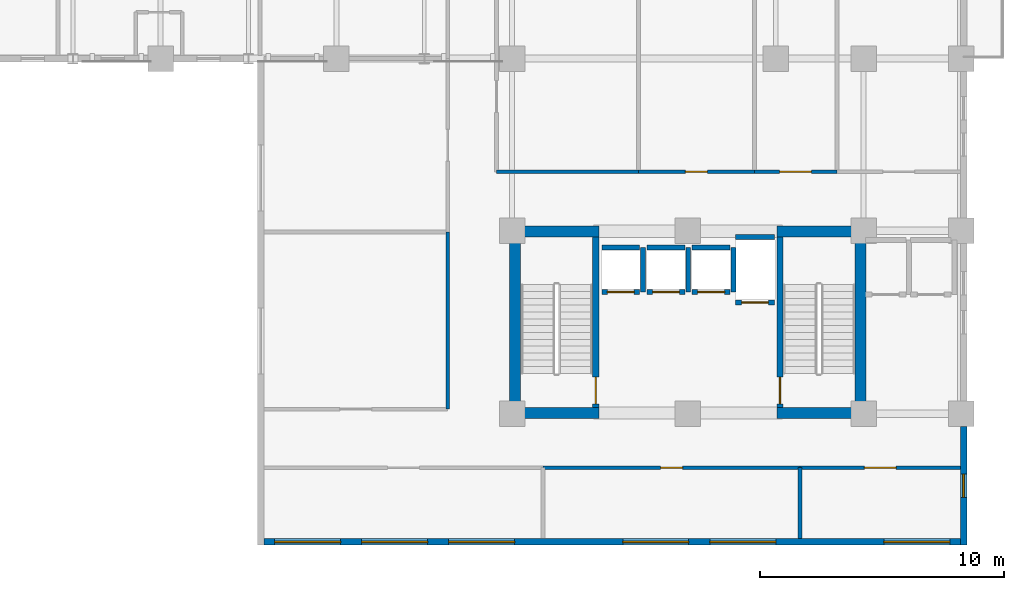
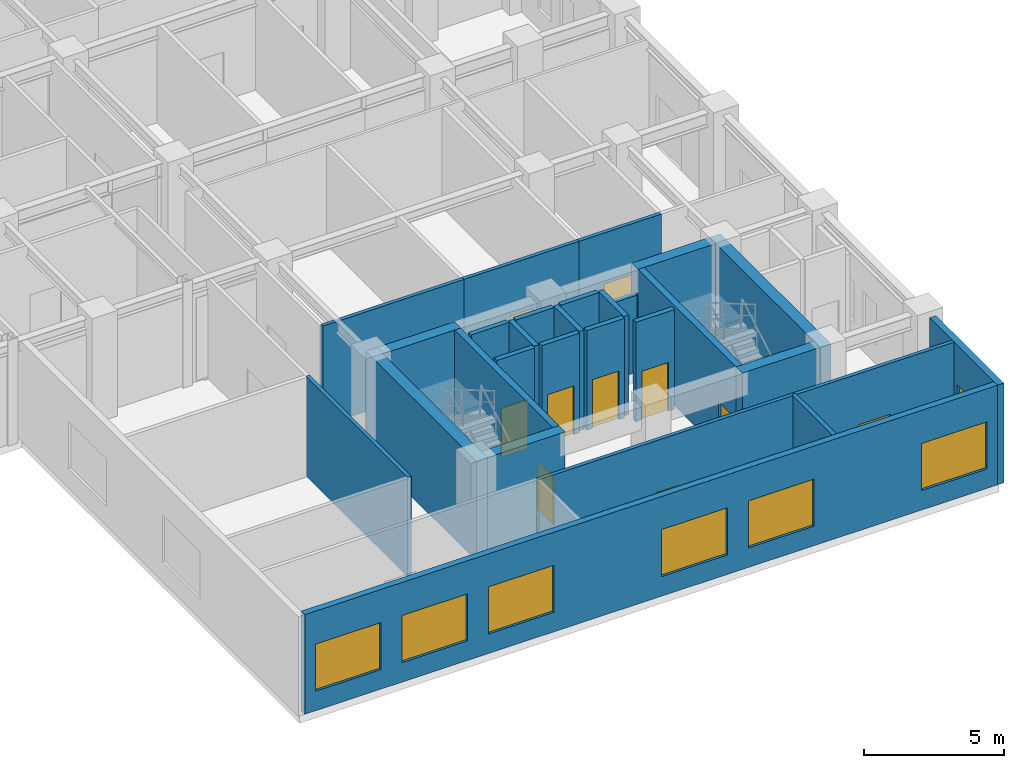
# One storey, part 6 of 14: 28 walls, 10 doors, 7 windows, 17 openings.
"""IFC4 building model written with IfcOpenShell, lengths in metres."""

from ifc_helpers import new_model, si_unit, direction, frame, frame_2d, origin, place, context, subcontext, project, spatial, rectangle, extrude, material, layer, layer_set, type_object, element, fill, save


model = new_model("IFC4")

# Units and contexts
model_context = context("Model", 3, precision=1e-05, world=origin(), true_north=direction((0.0, 1.0)))
body_context = subcontext(model_context, "Body", "Model", "MODEL_VIEW")
ifc_project = project(units=[si_unit("LENGTHUNIT", "METRE"), si_unit("AREAUNIT", "SQUARE_METRE"), si_unit("VOLUMEUNIT", "CUBIC_METRE"), si_unit("PLANEANGLEUNIT", "RADIAN"), si_unit("MASSUNIT", "GRAM", prefix="KILO")], contexts=[model_context])

# Site, building, storey
site_placement = place(None, origin())
site = spatial("IfcSite", under=ifc_project, at=site_placement, CompositionType="ELEMENT")
building_placement = place(site_placement, origin())
building = spatial("IfcBuilding", under=site, at=building_placement, Name="Kaliganga Portal Commons", CompositionType="ELEMENT")
storey_placement = place(building_placement, frame((0.0, 0.0, 135.60009765625)))
storey = spatial("IfcBuildingStorey", under=building, at=storey_placement, Name="L34", CompositionType="ELEMENT", Elevation=135.60009765625)

# Walls
ifc_material_1 = material(Name="Concrete C60/75", Category="concrete")
ifc_layer_1 = layer(ifc_material_1, 0.449951171875)
ifc_layer_set_1 = layer_set([ifc_layer_1], Name="Concrete C60/75")
wall_type_1 = type_object("IfcWallType", Name="WL-CORE-450", PredefinedType="SHEAR", material=ifc_layer_set_1)
for number, where, z_axis, x_axis, name in (
    (1, (36.125, 6.85009765625, 0.0), (0.0, 0.0, 1.0), (0.0, 1.0, 0.0), "Core B West Shear Wall L34"),
    (2, (50.27490234375, 6.85009765625, 0.0), (0.0, 0.0, 1.0), (0.0, 1.0, 0.0), "Core B East Shear Wall L34"),
):
    element("IfcWall", number, at=place(storey_placement, frame(where, z_axis=z_axis, x_axis=x_axis)), inside=storey, type_object=wall_type_1, Name=name, PredefinedType="SHEAR", context=body_context, shape_type="SweptSolid", body=[
        extrude(rectangle(XDim=7.89990234375, YDim=0.449951171875, at=frame_2d((3.949951171875, 0.0))), origin(), (0.0, 0.0, 1.0), 4.35986328125),
    ])
for number, where, z_axis, x_axis, name in (
    (3, (36.35009765625, 7.074951171875, 0.0), (0.0, 0.0, 1.0), (1.0, 0.0, 0.0), "Core B S-West Shear Wall L34"),
    (4, (46.85009765625, 7.074951171875, 0.0), (0.0, 0.0, 1.0), (1.0, 0.0, 0.0), "Core B S-East Shear Wall L34"),
    (5, (36.35009765625, 14.52490234375, 0.0), (0.0, 0.0, 1.0), (1.0, 0.0, 0.0), "Core B N-West Shear Wall L34"),
    (6, (46.85009765625, 14.52490234375, 0.0), (0.0, 0.0, 1.0), (1.0, 0.0, 0.0), "Core B N-East Shear Wall L34"),
):
    element("IfcWall", number, at=place(storey_placement, frame(where, z_axis=z_axis, x_axis=x_axis)), inside=storey, type_object=wall_type_1, Name=name, PredefinedType="SHEAR", context=body_context, shape_type="SweptSolid", body=[
        extrude(rectangle(XDim=3.199951171875, YDim=0.449951171875, at=frame_2d((1.60009765625, 0.0))), origin(), (0.0, 0.0, 1.0), 4.35986328125),
    ])

# Wall, openings, windows
ifc_material_2 = material(Name="Insulated Aluminium-Clad Spandrel Assembly", Category="aluminium")
ifc_layer_2 = layer(ifc_material_2, 0.260009765625)
ifc_layer_set_2 = layer_set([ifc_layer_2], Name="Insulated Aluminium-Clad Spandrel Assembly")
wall_type_2 = type_object("IfcWallType", Name="WL-EXT-SPAND-260", PredefinedType="STANDARD", material=ifc_layer_set_2)
wall_1_placement = place(storey_placement, frame((54.364990234375, 1.800048828125, 0.0), z_axis=(0.0, 0.0, 1.0), x_axis=(-1.0, 0.0, 0.0)))
wall_1 = element("IfcWall", 7, at=wall_1_placement, inside=storey, type_object=wall_type_2, Name="Exterior Envelope Wall L34 P1-E00-S1", PredefinedType="STANDARD", context=body_context, shape_type="SweptSolid", body=[
    extrude(rectangle(XDim=28.530029296875, YDim=0.260009765625, at=frame_2d((14.26513671875, 0.0))), origin(), (0.0, 0.0, 1.0), 4.33984375),
])
opening_1_placement = place(wall_1_placement, frame((0.43310546875, 0.0, 0.85009765625)))
opening_1 = element("IfcOpeningElement", 8, at=opening_1_placement, cuts=wall_1, Name="Opening W-07", PredefinedType="OPENING", context=body_context, shape_type="SweptSolid", body=[
    extrude(rectangle(XDim=2.699951171875, YDim=2.050048828125, at=frame_2d((1.35009765625, 1.02490234375))), frame((0.0, 0.14013671875, 0.0), z_axis=(0.0, -1.0, 0.0), x_axis=(1.0, 0.0, 0.0)), (0.0, 0.0, 1.0), 0.280029296875),
])
opening_2_placement = place(wall_1_placement, frame((7.565673828125, 0.0, 0.85009765625)))
opening_2 = element("IfcOpeningElement", 9, at=opening_2_placement, cuts=wall_1, Name="Opening W-07", PredefinedType="OPENING", context=body_context, shape_type="SweptSolid", body=[
    extrude(rectangle(XDim=2.699951171875, YDim=2.050048828125, at=frame_2d((1.35009765625, 1.02490234375))), frame((0.0, 0.14013671875, 0.0), z_axis=(0.0, -1.0, 0.0), x_axis=(1.0, 0.0, 0.0)), (0.0, 0.0, 1.0), 0.280029296875),
])
opening_3_placement = place(wall_1_placement, frame((11.1318359375, 0.0, 0.85009765625)))
opening_3 = element("IfcOpeningElement", 10, at=opening_3_placement, cuts=wall_1, Name="Opening W-07", PredefinedType="OPENING", context=body_context, shape_type="SweptSolid", body=[
    extrude(rectangle(XDim=2.699951171875, YDim=2.050048828125, at=frame_2d((1.35009765625, 1.02490234375))), frame((0.0, 0.14013671875, 0.0), z_axis=(0.0, -1.0, 0.0), x_axis=(1.0, 0.0, 0.0)), (0.0, 0.0, 1.0), 0.280029296875),
])
opening_4_placement = place(wall_1_placement, frame((18.264404296875, 0.0, 0.85009765625)))
opening_4 = element("IfcOpeningElement", 11, at=opening_4_placement, cuts=wall_1, Name="Opening W-07", PredefinedType="OPENING", context=body_context, shape_type="SweptSolid", body=[
    extrude(rectangle(XDim=2.699951171875, YDim=2.050048828125, at=frame_2d((1.35009765625, 1.02490234375))), frame((0.0, 0.14013671875, 0.0), z_axis=(0.0, -1.0, 0.0), x_axis=(1.0, 0.0, 0.0)), (0.0, 0.0, 1.0), 0.280029296875),
])
opening_5_placement = place(wall_1_placement, frame((21.83056640625, 0.0, 0.85009765625)))
opening_5 = element("IfcOpeningElement", 12, at=opening_5_placement, cuts=wall_1, Name="Opening W-07", PredefinedType="OPENING", context=body_context, shape_type="SweptSolid", body=[
    extrude(rectangle(XDim=2.699951171875, YDim=2.050048828125, at=frame_2d((1.35009765625, 1.02490234375))), frame((0.0, 0.14013671875, 0.0), z_axis=(0.0, -1.0, 0.0), x_axis=(1.0, 0.0, 0.0)), (0.0, 0.0, 1.0), 0.280029296875),
])
opening_6_placement = place(wall_1_placement, frame((25.39697265625, 0.0, 0.85009765625)))
opening_6 = element("IfcOpeningElement", 13, at=opening_6_placement, cuts=wall_1, Name="Opening W-07", PredefinedType="OPENING", context=body_context, shape_type="SweptSolid", body=[
    extrude(rectangle(XDim=2.699951171875, YDim=2.050048828125, at=frame_2d((1.35009765625, 1.02490234375))), frame((0.0, 0.14013671875, 0.0), z_axis=(0.0, -1.0, 0.0), x_axis=(1.0, 0.0, 0.0)), (0.0, 0.0, 1.0), 0.280029296875),
])
ifc_material_3 = material(Name="Thermally Broken Aluminium and Low-E Double Glazing", Category="aluminium")
window_type_1 = type_object("IfcWindowType", Name="WIN-LOUNGE-2700", PartitioningType="TRIPLE_PANEL_VERTICAL", PredefinedType="WINDOW", material=ifc_material_3)
window_1_placement = place(opening_1_placement, origin())
window_1 = element("IfcWindow", 14, at=window_1_placement, inside=storey, type_object=window_type_1, Name="Facade Window L34-P1E00S1-00", OverallHeight=2.050048828125, OverallWidth=2.699951171875, PartitioningType="SINGLE_PANEL", PredefinedType="WINDOW", context=body_context, shape_type="SweptSolid", body=[
    extrude(rectangle(XDim=2.699951171875, YDim=2.050048828125, at=frame_2d((1.35009765625, 1.02490234375))), frame((0.0, 0.030029296875, 0.0), z_axis=(0.0, -1.0, 0.0), x_axis=(1.0, 0.0, 0.0)), (0.0, 0.0, 1.0), 0.06005859375),
])
fill(opening_1, window_1)
window_2_placement = place(opening_2_placement, origin())
window_2 = element("IfcWindow", 15, at=window_2_placement, inside=storey, type_object=window_type_1, Name="Facade Window L34-P1E00S1-02", OverallHeight=2.050048828125, OverallWidth=2.699951171875, PartitioningType="SINGLE_PANEL", PredefinedType="WINDOW", context=body_context, shape_type="SweptSolid", body=[
    extrude(rectangle(XDim=2.699951171875, YDim=2.050048828125, at=frame_2d((1.35009765625, 1.02490234375))), frame((0.0, 0.030029296875, 0.0), z_axis=(0.0, -1.0, 0.0), x_axis=(1.0, 0.0, 0.0)), (0.0, 0.0, 1.0), 0.06005859375),
])
fill(opening_2, window_2)
window_3_placement = place(opening_3_placement, origin())
window_3 = element("IfcWindow", 16, at=window_3_placement, inside=storey, type_object=window_type_1, Name="Facade Window L34-P1E00S1-03", OverallHeight=2.050048828125, OverallWidth=2.699951171875, PartitioningType="SINGLE_PANEL", PredefinedType="WINDOW", context=body_context, shape_type="SweptSolid", body=[
    extrude(rectangle(XDim=2.699951171875, YDim=2.050048828125, at=frame_2d((1.35009765625, 1.02490234375))), frame((0.0, 0.030029296875, 0.0), z_axis=(0.0, -1.0, 0.0), x_axis=(1.0, 0.0, 0.0)), (0.0, 0.0, 1.0), 0.06005859375),
])
fill(opening_3, window_3)
window_4_placement = place(opening_4_placement, origin())
window_4 = element("IfcWindow", 17, at=window_4_placement, inside=storey, type_object=window_type_1, Name="Facade Window L34-P1E00S1-05", OverallHeight=2.050048828125, OverallWidth=2.699951171875, PartitioningType="SINGLE_PANEL", PredefinedType="WINDOW", context=body_context, shape_type="SweptSolid", body=[
    extrude(rectangle(XDim=2.699951171875, YDim=2.050048828125, at=frame_2d((1.35009765625, 1.02490234375))), frame((0.0, 0.030029296875, 0.0), z_axis=(0.0, -1.0, 0.0), x_axis=(1.0, 0.0, 0.0)), (0.0, 0.0, 1.0), 0.06005859375),
])
fill(opening_4, window_4)
window_5_placement = place(opening_5_placement, origin())
window_5 = element("IfcWindow", 18, at=window_5_placement, inside=storey, type_object=window_type_1, Name="Facade Window L34-P1E00S1-06", OverallHeight=2.050048828125, OverallWidth=2.699951171875, PartitioningType="SINGLE_PANEL", PredefinedType="WINDOW", context=body_context, shape_type="SweptSolid", body=[
    extrude(rectangle(XDim=2.699951171875, YDim=2.050048828125, at=frame_2d((1.35009765625, 1.02490234375))), frame((0.0, 0.030029296875, 0.0), z_axis=(0.0, -1.0, 0.0), x_axis=(1.0, 0.0, 0.0)), (0.0, 0.0, 1.0), 0.06005859375),
])
fill(opening_5, window_5)
window_6_placement = place(opening_6_placement, origin())
window_6 = element("IfcWindow", 19, at=window_6_placement, inside=storey, type_object=window_type_1, Name="Facade Window L34-P1E00S1-07", OverallHeight=2.050048828125, OverallWidth=2.699951171875, PartitioningType="SINGLE_PANEL", PredefinedType="WINDOW", context=body_context, shape_type="SweptSolid", body=[
    extrude(rectangle(XDim=2.699951171875, YDim=2.050048828125, at=frame_2d((1.35009765625, 1.02490234375))), frame((0.0, 0.030029296875, 0.0), z_axis=(0.0, -1.0, 0.0), x_axis=(1.0, 0.0, 0.0)), (0.0, 0.0, 1.0), 0.06005859375),
])
fill(opening_6, window_6)

# Wall, opening, window
wall_2_placement = place(storey_placement, frame((54.5, 6.52392578125, 0.0), z_axis=(0.0, 0.0, 1.0), x_axis=(0.0, -1.0, 0.0)))
wall_2 = element("IfcWall", 20, at=wall_2_placement, inside=storey, type_object=wall_type_2, Name="Exterior Envelope Wall L34 P1-E01-S1", PredefinedType="STANDARD", context=body_context, shape_type="SweptSolid", body=[
    extrude(rectangle(XDim=4.85400390625, YDim=0.260009765625, at=frame_2d((2.427001953125, 0.0))), origin(), (0.0, 0.0, 1.0), 4.33984375),
])
opening_7_placement = place(wall_2_placement, frame((1.951904296875, 0.0, 0.85009765625)))
opening_7 = element("IfcOpeningElement", 21, at=opening_7_placement, cuts=wall_2, Name="Opening W-04", PredefinedType="OPENING", context=body_context, shape_type="SweptSolid", body=[
    extrude(rectangle(XDim=0.949951171875, YDim=1.75, at=frame_2d((0.47509765625, 0.875))), frame((0.0, 0.14013671875, 0.0), z_axis=(0.0, -1.0, 0.0), x_axis=(1.0, 0.0, 0.0)), (0.0, 0.0, 1.0), 0.280029296875),
])
window_type_2 = type_object("IfcWindowType", Name="WIN-NARROW-950", PartitioningType="SINGLE_PANEL", PredefinedType="WINDOW", material=ifc_material_3)
window_7_placement = place(opening_7_placement, origin())
window_7 = element("IfcWindow", 22, at=window_7_placement, inside=storey, type_object=window_type_2, Name="Facade Window L34-P1E01S1-N0", OverallHeight=1.75, OverallWidth=0.949951171875, PartitioningType="SINGLE_PANEL", PredefinedType="WINDOW", context=body_context, shape_type="SweptSolid", body=[
    extrude(rectangle(XDim=0.949951171875, YDim=1.75, at=frame_2d((0.47509765625, 0.875))), frame((0.0, 0.030029296875, 0.0), z_axis=(0.0, -1.0, 0.0), x_axis=(1.0, 0.0, 0.0)), (0.0, 0.0, 1.0), 0.06005859375),
])
fill(opening_7, window_7)

# Wall, opening, door
ifc_material_4 = material(Name="Fire-Rated Gypsum Board on Steel Stud", Category="steel")
ifc_layer_3 = layer(ifc_material_4, 0.14990234375)
ifc_layer_set_3 = layer_set([ifc_layer_3], Name="Fire-Rated Gypsum Board on Steel Stud")
wall_type_3 = type_object("IfcWallType", Name="WL-PART-CORR-150", PredefinedType="PARTITIONING", material=ifc_layer_set_3)
wall_3_placement = place(storey_placement, frame((37.260009765625, 4.840087890625, 0.0), z_axis=(0.0, 0.0, 1.0), x_axis=(1.0, 0.0, 0.0)))
wall_3 = element("IfcWall", 23, at=wall_3_placement, inside=storey, type_object=wall_type_3, Name="Interior Partition L34-009", PredefinedType="PARTITIONING", context=body_context, shape_type="SweptSolid", body=[
    extrude(rectangle(XDim=10.5400390625, YDim=0.14990234375, at=frame_2d((5.27001953125, 0.0))), origin(), (0.0, 0.0, 1.0), 4.33984375),
])
opening_8_placement = place(wall_3_placement, frame((4.820068359375, 0.0, 0.0)))
opening_8 = element("IfcOpeningElement", 24, at=opening_8_placement, cuts=wall_3, Name="Opening RD-01", PredefinedType="OPENING", context=body_context, shape_type="SweptSolid", body=[
    extrude(rectangle(XDim=0.89990234375, YDim=2.080078125, at=frame_2d((0.449951171875, 1.0400390625))), frame((0.0, 0.0849609375, 0.0), z_axis=(0.0, -1.0, 0.0), x_axis=(1.0, 0.0, 0.0)), (0.0, 0.0, 1.0), 0.169921875),
])
ifc_material_5 = material(Name="Engineered Timber Flush Door", Category="wood")
door_type_1 = type_object("IfcDoorType", Name="DR-ROOM-900", OperationType="NOTDEFINED", PredefinedType="DOOR", material=ifc_material_5)
door_1_placement = place(opening_8_placement, origin())
door_1 = element("IfcDoor", 25, at=door_1_placement, inside=storey, type_object=door_type_1, Name="Interior Door L34-BS02", OperationType="SINGLE_SWING_LEFT", OverallHeight=2.080078125, OverallWidth=0.89990234375, PredefinedType="DOOR", context=body_context, shape_type="SweptSolid", body=[
    extrude(rectangle(XDim=0.89990234375, YDim=2.080078125, at=frame_2d((0.449951171875, 1.0400390625))), frame((0.0, 0.02490234375, 0.0), z_axis=(0.0, -1.0, 0.0), x_axis=(1.0, 0.0, 0.0)), (0.0, 0.0, 1.0), 0.050048828125),
])
fill(opening_8, door_1)

# Wall
wall_4_placement = place(storey_placement, frame((33.360107421875, 7.239990234375, 0.0), z_axis=(0.0, 0.0, 1.0), x_axis=(0.0, 1.0, 0.0)))
element("IfcWall", 26, at=wall_4_placement, inside=storey, type_object=wall_type_3, Name="Interior Partition L34-019", PredefinedType="PARTITIONING", context=body_context, shape_type="SweptSolid", body=[
    extrude(rectangle(XDim=7.260009765625, YDim=0.14990234375, at=frame_2d((3.6298828125, 0.0))), origin(), (0.0, 0.0, 1.0), 4.33984375),
])

# Wall, opening, door
wall_5_placement = place(storey_placement, frame((47.800048828125, 4.840087890625, 0.0), z_axis=(0.0, 0.0, 1.0), x_axis=(1.0, 0.0, 0.0)))
wall_5 = element("IfcWall", 27, at=wall_5_placement, inside=storey, type_object=wall_type_3, Name="Interior Partition L34-023", PredefinedType="PARTITIONING", context=body_context, shape_type="SweptSolid", body=[
    extrude(rectangle(XDim=6.56787109375, YDim=0.14990234375, at=frame_2d((3.283935546875, 0.0))), origin(), (0.0, 0.0, 1.0), 4.33984375),
])
opening_9_placement = place(wall_5_placement, frame((2.634033203125, 0.0, 0.0)))
opening_9 = element("IfcOpeningElement", 28, at=opening_9_placement, cuts=wall_5, Name="Opening RD-03", PredefinedType="OPENING", context=body_context, shape_type="SweptSolid", body=[
    extrude(rectangle(XDim=1.300048828125, YDim=2.1201171875, at=frame_2d((0.64990234375, 1.06005859375))), frame((0.0, 0.0849609375, 0.0), z_axis=(0.0, -1.0, 0.0), x_axis=(1.0, 0.0, 0.0)), (0.0, 0.0, 1.0), 0.169921875),
])
ifc_material_6 = material(Name="Glazed Timber Seminar Vision Door", Category="wood")
door_type_2 = type_object("IfcDoorType", Name="DR-STUDY-1300", OperationType="DOUBLE_DOOR_SINGLE_SWING", PredefinedType="DOOR", material=ifc_material_6)
door_2_placement = place(opening_9_placement, origin())
door_2 = element("IfcDoor", 29, at=door_2_placement, inside=storey, type_object=door_type_2, Name="Interior Door L34-BS03", OperationType="DOUBLE_DOOR_SINGLE_SWING", OverallHeight=2.1201171875, OverallWidth=1.300048828125, PredefinedType="DOOR", context=body_context, shape_type="SweptSolid", body=[
    extrude(rectangle(XDim=1.300048828125, YDim=2.1201171875, at=frame_2d((0.64990234375, 1.06005859375))), frame((0.0, 0.02490234375, 0.0), z_axis=(0.0, -1.0, 0.0), x_axis=(1.0, 0.0, 0.0)), (0.0, 0.0, 1.0), 0.050048828125),
])
fill(opening_9, door_2)

# Wall
wall_6_placement = place(storey_placement, frame((35.360107421875, 16.9599609375, 0.0), z_axis=(0.0, 0.0, 1.0), x_axis=(1.0, 0.0, 0.0)))
element("IfcWall", 30, at=wall_6_placement, inside=storey, type_object=wall_type_3, Name="Interior Partition L34-025", PredefinedType="PARTITIONING", context=body_context, shape_type="SweptSolid", body=[
    extrude(rectangle(XDim=5.81982421875, YDim=0.14990234375, at=frame_2d((2.909912109375, 0.0))), origin(), (0.0, 0.0, 1.0), 4.33984375),
])

# Wall, opening, door
wall_7_placement = place(storey_placement, frame((41.179931640625, 16.9599609375, 0.0), z_axis=(0.0, 0.0, 1.0), x_axis=(1.0, 0.0, 0.0)))
wall_7 = element("IfcWall", 31, at=wall_7_placement, inside=storey, type_object=wall_type_3, Name="Interior Partition L34-028", PredefinedType="PARTITIONING", context=body_context, shape_type="SweptSolid", body=[
    extrude(rectangle(XDim=4.739990234375, YDim=0.14990234375, at=frame_2d((2.3701171875, 0.0))), origin(), (0.0, 0.0, 1.0), 4.33984375),
])
opening_10_placement = place(wall_7_placement, frame((1.919921875, 0.0, 0.0)))
opening_10 = element("IfcOpeningElement", 32, at=opening_10_placement, cuts=wall_7, Name="Opening RD-01", PredefinedType="OPENING", context=body_context, shape_type="SweptSolid", body=[
    extrude(rectangle(XDim=0.89990234375, YDim=2.080078125, at=frame_2d((0.449951171875, 1.0400390625))), frame((0.0, 0.0849609375, 0.0), z_axis=(0.0, -1.0, 0.0), x_axis=(1.0, 0.0, 0.0)), (0.0, 0.0, 1.0), 0.169921875),
])
door_3_placement = place(opening_10_placement, origin())
door_3 = element("IfcDoor", 33, at=door_3_placement, inside=storey, type_object=door_type_1, Name="Interior Door L34-BM02", OperationType="SINGLE_SWING_RIGHT", OverallHeight=2.080078125, OverallWidth=0.89990234375, PredefinedType="DOOR", context=body_context, shape_type="SweptSolid", body=[
    extrude(rectangle(XDim=0.89990234375, YDim=2.080078125, at=frame_2d((0.449951171875, 1.0400390625))), frame((0.0, 0.02490234375, 0.0), z_axis=(0.0, -1.0, 0.0), x_axis=(1.0, 0.0, 0.0)), (0.0, 0.0, 1.0), 0.050048828125),
])
fill(opening_10, door_3)

wall_8_placement = place(storey_placement, frame((45.919921875, 16.9599609375, 0.0), z_axis=(0.0, 0.0, 1.0), x_axis=(1.0, 0.0, 0.0)))
wall_8 = element("IfcWall", 34, at=wall_8_placement, inside=storey, type_object=wall_type_3, Name="Interior Partition L34-037", PredefinedType="PARTITIONING", context=body_context, shape_type="SweptSolid", body=[
    extrude(rectangle(XDim=3.380126953125, YDim=0.14990234375, at=frame_2d((1.68994140625, 0.0))), origin(), (0.0, 0.0, 1.0), 4.33984375),
])
opening_11_placement = place(wall_8_placement, frame((1.0400390625, 0.0, 0.0)))
opening_11 = element("IfcOpeningElement", 35, at=opening_11_placement, cuts=wall_8, Name="Opening RD-03", PredefinedType="OPENING", context=body_context, shape_type="SweptSolid", body=[
    extrude(rectangle(XDim=1.300048828125, YDim=2.1201171875, at=frame_2d((0.64990234375, 1.06005859375))), frame((0.0, 0.0849609375, 0.0), z_axis=(0.0, -1.0, 0.0), x_axis=(1.0, 0.0, 0.0)), (0.0, 0.0, 1.0), 0.169921875),
])
door_4_placement = place(opening_11_placement, origin())
door_4 = element("IfcDoor", 36, at=door_4_placement, inside=storey, type_object=door_type_2, Name="Interior Door L34-BM03", OperationType="DOUBLE_DOOR_SINGLE_SWING", OverallHeight=2.1201171875, OverallWidth=1.300048828125, PredefinedType="DOOR", context=body_context, shape_type="SweptSolid", body=[
    extrude(rectangle(XDim=1.300048828125, YDim=2.1201171875, at=frame_2d((0.64990234375, 1.06005859375))), frame((0.0, 0.02490234375, 0.0), z_axis=(0.0, -1.0, 0.0), x_axis=(1.0, 0.0, 0.0)), (0.0, 0.0, 1.0), 0.050048828125),
])
fill(opening_11, door_4)

# Wall
ifc_material_7 = material(Name="Twin-Stud Acoustic Gypsum Partition", Category="gypsum")
ifc_layer_4 = layer(ifc_material_7, 0.1650390625)
ifc_layer_set_4 = layer_set([ifc_layer_4], Name="Twin-Stud Acoustic Gypsum Partition")
wall_type_4 = type_object("IfcWallType", Name="WL-PART-UNIT-165", PredefinedType="PARTITIONING", material=ifc_layer_set_4)
wall_9_placement = place(storey_placement, frame((47.800048828125, 1.931884765625, 0.0), z_axis=(0.0, 0.0, 1.0), x_axis=(0.0, 1.0, 0.0)))
element("IfcWall", 37, at=wall_9_placement, inside=storey, type_object=wall_type_4, Name="Interior Partition L34-073", PredefinedType="PARTITIONING", context=body_context, shape_type="SweptSolid", body=[
    extrude(rectangle(XDim=2.908203125, YDim=0.1650390625, at=frame_2d((1.4541015625, 0.0))), origin(), (0.0, 0.0, 1.0), 4.33984375),
])

# Wall, opening, door
ifc_material_8 = material(Name="Fire-Rated Shaftwall Masonry Assembly", Category="masonry")
ifc_layer_5 = layer(ifc_material_8, 0.199951171875)
ifc_layer_set_5 = layer_set([ifc_layer_5], Name="Fire-Rated Shaftwall Masonry Assembly")
wall_type_5 = type_object("IfcWallType", Name="WL-SHAFT-200", PredefinedType="PARTITIONING", material=ifc_layer_set_5)
wall_10_placement = place(storey_placement, frame((39.675048828125, 12.034912109375, 0.0), z_axis=(0.0, 0.0, 1.0), x_axis=(1.0, 0.0, 0.0)))
wall_10 = element("IfcWall", 38, at=wall_10_placement, inside=storey, type_object=wall_type_5, Name="Lift PL-B1 Hoistway Shaft Wall L34-S", PredefinedType="PARTITIONING", context=body_context, shape_type="SweptSolid", body=[
    extrude(rectangle(XDim=1.550048828125, YDim=0.199951171875, at=frame_2d((0.77490234375, 0.0))), origin(), (0.0, 0.0, 1.0), 4.33984375),
])
opening_12_placement = place(wall_10_placement, frame((0.22509765625, 0.0, 0.0)))
opening_12 = element("IfcOpeningElement", 39, at=opening_12_placement, cuts=wall_10, Name="Opening LD-01", PredefinedType="OPENING", context=body_context, shape_type="SweptSolid", body=[
    extrude(rectangle(XDim=1.10009765625, YDim=2.1201171875, at=frame_2d((0.550048828125, 1.06005859375))), frame((0.0, 0.10986328125, 0.0), z_axis=(0.0, -1.0, 0.0), x_axis=(1.0, 0.0, 0.0)), (0.0, 0.0, 1.0), 0.219970703125),
])
ifc_material_9 = material(Name="Brushed Stainless Steel 316 Lift Landing Door", Category="steel")
door_type_3 = type_object("IfcDoorType", Name="DR-LIFT-1100", OperationType="SLIDING_TO_LEFT", PredefinedType="DOOR", material=ifc_material_9)
door_5_placement = place(opening_12_placement, origin())
door_5 = element("IfcDoor", 40, at=door_5_placement, inside=storey, type_object=door_type_3, Name="Lift PL-B1 Sliding Landing Door L34", OperationType="SLIDING_TO_LEFT", OverallHeight=2.1201171875, OverallWidth=1.10009765625, PredefinedType="DOOR", context=body_context, shape_type="SweptSolid", body=[
    extrude(rectangle(XDim=1.10009765625, YDim=2.1201171875, at=frame_2d((0.550048828125, 1.06005859375))), frame((0.0, 0.02490234375, 0.0), z_axis=(0.0, -1.0, 0.0), x_axis=(1.0, 0.0, 0.0)), (0.0, 0.0, 1.0), 0.050048828125),
])
fill(opening_12, door_5)

# Walls
wall_11_placement = place(storey_placement, frame((39.675048828125, 13.864990234375, 0.0), z_axis=(0.0, 0.0, 1.0), x_axis=(1.0, 0.0, 0.0)))
element("IfcWall", 41, at=wall_11_placement, inside=storey, type_object=wall_type_5, Name="Lift PL-B1 Hoistway Shaft Wall L34-N", PredefinedType="PARTITIONING", context=body_context, shape_type="SweptSolid", body=[
    extrude(rectangle(XDim=1.550048828125, YDim=0.199951171875, at=frame_2d((0.77490234375, 0.0))), origin(), (0.0, 0.0, 1.0), 4.33984375),
])
wall_12_placement = place(storey_placement, frame((41.364990234375, 12.034912109375, 0.0), z_axis=(0.0, 0.0, 1.0), x_axis=(0.0, 1.0, 0.0)))
element("IfcWall", 42, at=wall_12_placement, inside=storey, type_object=wall_type_5, Name="Lift PL-B1 Hoistway Shaft Wall L34-E", PredefinedType="PARTITIONING", context=body_context, shape_type="SweptSolid", body=[
    extrude(rectangle(XDim=1.830078125, YDim=0.199951171875, at=frame_2d((0.9150390625, 0.0))), origin(), (0.0, 0.0, 1.0), 4.33984375),
])

# Wall, opening, door
wall_13_placement = place(storey_placement, frame((41.52490234375, 12.034912109375, 0.0), z_axis=(0.0, 0.0, 1.0), x_axis=(1.0, 0.0, 0.0)))
wall_13 = element("IfcWall", 43, at=wall_13_placement, inside=storey, type_object=wall_type_5, Name="Lift PL-B2 Hoistway Shaft Wall L34-S", PredefinedType="PARTITIONING", context=body_context, shape_type="SweptSolid", body=[
    extrude(rectangle(XDim=1.550048828125, YDim=0.199951171875, at=frame_2d((0.77490234375, 0.0))), origin(), (0.0, 0.0, 1.0), 4.33984375),
])
opening_13_placement = place(wall_13_placement, frame((0.22509765625, 0.0, 0.0)))
opening_13 = element("IfcOpeningElement", 44, at=opening_13_placement, cuts=wall_13, Name="Opening LD-01", PredefinedType="OPENING", context=body_context, shape_type="SweptSolid", body=[
    extrude(rectangle(XDim=1.10009765625, YDim=2.1201171875, at=frame_2d((0.550048828125, 1.06005859375))), frame((0.0, 0.10986328125, 0.0), z_axis=(0.0, -1.0, 0.0), x_axis=(1.0, 0.0, 0.0)), (0.0, 0.0, 1.0), 0.219970703125),
])
door_6_placement = place(opening_13_placement, origin())
door_6 = element("IfcDoor", 45, at=door_6_placement, inside=storey, type_object=door_type_3, Name="Lift PL-B2 Sliding Landing Door L34", OperationType="SLIDING_TO_LEFT", OverallHeight=2.1201171875, OverallWidth=1.10009765625, PredefinedType="DOOR", context=body_context, shape_type="SweptSolid", body=[
    extrude(rectangle(XDim=1.10009765625, YDim=2.1201171875, at=frame_2d((0.550048828125, 1.06005859375))), frame((0.0, 0.02490234375, 0.0), z_axis=(0.0, -1.0, 0.0), x_axis=(1.0, 0.0, 0.0)), (0.0, 0.0, 1.0), 0.050048828125),
])
fill(opening_13, door_6)

# Walls
wall_14_placement = place(storey_placement, frame((41.52490234375, 13.864990234375, 0.0), z_axis=(0.0, 0.0, 1.0), x_axis=(1.0, 0.0, 0.0)))
element("IfcWall", 46, at=wall_14_placement, inside=storey, type_object=wall_type_5, Name="Lift PL-B2 Hoistway Shaft Wall L34-N", PredefinedType="PARTITIONING", context=body_context, shape_type="SweptSolid", body=[
    extrude(rectangle(XDim=1.550048828125, YDim=0.199951171875, at=frame_2d((0.77490234375, 0.0))), origin(), (0.0, 0.0, 1.0), 4.33984375),
])
wall_15_placement = place(storey_placement, frame((43.215087890625, 12.034912109375, 0.0), z_axis=(0.0, 0.0, 1.0), x_axis=(0.0, 1.0, 0.0)))
element("IfcWall", 47, at=wall_15_placement, inside=storey, type_object=wall_type_5, Name="Lift PL-B2 Hoistway Shaft Wall L34-E", PredefinedType="PARTITIONING", context=body_context, shape_type="SweptSolid", body=[
    extrude(rectangle(XDim=1.830078125, YDim=0.199951171875, at=frame_2d((0.9150390625, 0.0))), origin(), (0.0, 0.0, 1.0), 4.33984375),
])

# Wall, opening, door
wall_16_placement = place(storey_placement, frame((43.375, 12.034912109375, 0.0), z_axis=(0.0, 0.0, 1.0), x_axis=(1.0, 0.0, 0.0)))
wall_16 = element("IfcWall", 48, at=wall_16_placement, inside=storey, type_object=wall_type_5, Name="Lift SH-2 Hoistway Shaft Wall L34-S", PredefinedType="PARTITIONING", context=body_context, shape_type="SweptSolid", body=[
    extrude(rectangle(XDim=1.550048828125, YDim=0.199951171875, at=frame_2d((0.77490234375, 0.0))), origin(), (0.0, 0.0, 1.0), 4.33984375),
])
opening_14_placement = place(wall_16_placement, frame((0.22509765625, 0.0, 0.0)))
opening_14 = element("IfcOpeningElement", 49, at=opening_14_placement, cuts=wall_16, Name="Opening LD-01", PredefinedType="OPENING", context=body_context, shape_type="SweptSolid", body=[
    extrude(rectangle(XDim=1.10009765625, YDim=2.1201171875, at=frame_2d((0.550048828125, 1.06005859375))), frame((0.0, 0.10986328125, 0.0), z_axis=(0.0, -1.0, 0.0), x_axis=(1.0, 0.0, 0.0)), (0.0, 0.0, 1.0), 0.219970703125),
])
door_7_placement = place(opening_14_placement, origin())
door_7 = element("IfcDoor", 50, at=door_7_placement, inside=storey, type_object=door_type_3, Name="Lift SH-2 Sliding Landing Door L34", OperationType="SLIDING_TO_LEFT", OverallHeight=2.1201171875, OverallWidth=1.10009765625, PredefinedType="DOOR", context=body_context, shape_type="SweptSolid", body=[
    extrude(rectangle(XDim=1.10009765625, YDim=2.1201171875, at=frame_2d((0.550048828125, 1.06005859375))), frame((0.0, 0.02490234375, 0.0), z_axis=(0.0, -1.0, 0.0), x_axis=(1.0, 0.0, 0.0)), (0.0, 0.0, 1.0), 0.050048828125),
])
fill(opening_14, door_7)

# Walls
wall_17_placement = place(storey_placement, frame((43.375, 13.864990234375, 0.0), z_axis=(0.0, 0.0, 1.0), x_axis=(1.0, 0.0, 0.0)))
element("IfcWall", 51, at=wall_17_placement, inside=storey, type_object=wall_type_5, Name="Lift SH-2 Hoistway Shaft Wall L34-N", PredefinedType="PARTITIONING", context=body_context, shape_type="SweptSolid", body=[
    extrude(rectangle(XDim=1.550048828125, YDim=0.199951171875, at=frame_2d((0.77490234375, 0.0))), origin(), (0.0, 0.0, 1.0), 4.33984375),
])
wall_18_placement = place(storey_placement, frame((45.06494140625, 12.034912109375, 0.0), z_axis=(0.0, 0.0, 1.0), x_axis=(0.0, 1.0, 0.0)))
element("IfcWall", 52, at=wall_18_placement, inside=storey, type_object=wall_type_5, Name="Lift SH-2 Hoistway Shaft Wall L34-E", PredefinedType="PARTITIONING", context=body_context, shape_type="SweptSolid", body=[
    extrude(rectangle(XDim=1.830078125, YDim=0.199951171875, at=frame_2d((0.9150390625, 0.0))), origin(), (0.0, 0.0, 1.0), 4.33984375),
])

# Wall, opening, door
wall_19_placement = place(storey_placement, frame((45.14990234375, 11.610107421875, 0.0), z_axis=(0.0, 0.0, 1.0), x_axis=(1.0, 0.0, 0.0)))
wall_19 = element("IfcWall", 53, at=wall_19_placement, inside=storey, type_object=wall_type_5, Name="Lift SL-B1 Hoistway Shaft Wall L34-S", PredefinedType="PARTITIONING", context=body_context, shape_type="SweptSolid", body=[
    extrude(rectangle(XDim=1.60009765625, YDim=0.199951171875, at=frame_2d((0.800048828125, 0.0))), origin(), (0.0, 0.0, 1.0), 4.33984375),
])
opening_15_placement = place(wall_19_placement, frame((0.25, 0.0, 0.0)))
opening_15 = element("IfcOpeningElement", 54, at=opening_15_placement, cuts=wall_19, Name="Opening LD-01", PredefinedType="OPENING", context=body_context, shape_type="SweptSolid", body=[
    extrude(rectangle(XDim=1.10009765625, YDim=2.1201171875, at=frame_2d((0.550048828125, 1.06005859375))), frame((0.0, 0.10986328125, 0.0), z_axis=(0.0, -1.0, 0.0), x_axis=(1.0, 0.0, 0.0)), (0.0, 0.0, 1.0), 0.219970703125),
])
door_8_placement = place(opening_15_placement, origin())
door_8 = element("IfcDoor", 55, at=door_8_placement, inside=storey, type_object=door_type_3, Name="Lift SL-B1 Sliding Landing Door L34", OperationType="SLIDING_TO_LEFT", OverallHeight=2.1201171875, OverallWidth=1.10009765625, PredefinedType="DOOR", context=body_context, shape_type="SweptSolid", body=[
    extrude(rectangle(XDim=1.10009765625, YDim=2.1201171875, at=frame_2d((0.550048828125, 1.06005859375))), frame((0.0, 0.02490234375, 0.0), z_axis=(0.0, -1.0, 0.0), x_axis=(1.0, 0.0, 0.0)), (0.0, 0.0, 1.0), 0.050048828125),
])
fill(opening_15, door_8)

# Wall
wall_20_placement = place(storey_placement, frame((45.14990234375, 14.2900390625, 0.0), z_axis=(0.0, 0.0, 1.0), x_axis=(1.0, 0.0, 0.0)))
element("IfcWall", 56, at=wall_20_placement, inside=storey, type_object=wall_type_5, Name="Lift SL-B1 Hoistway Shaft Wall L34-N", PredefinedType="PARTITIONING", context=body_context, shape_type="SweptSolid", body=[
    extrude(rectangle(XDim=1.60009765625, YDim=0.199951171875, at=frame_2d((0.800048828125, 0.0))), origin(), (0.0, 0.0, 1.0), 3.33984375),
])

# Wall, opening, door
ifc_material_10 = material(Name="Concrete C50/60", Category="concrete")
ifc_layer_6 = layer(ifc_material_10, 0.25)
ifc_layer_set_6 = layer_set([ifc_layer_6], Name="Concrete C50/60")
wall_type_6 = type_object("IfcWallType", Name="WL-STAIR-250", PredefinedType="SHEAR", material=ifc_layer_set_6)
wall_21_placement = place(storey_placement, frame((39.425048828125, 7.300048828125, 0.0), z_axis=(0.0, 0.0, 1.0), x_axis=(0.0, 1.0, 0.0)))
wall_21 = element("IfcWall", 57, at=wall_21_placement, inside=storey, type_object=wall_type_6, Name="Stair B1 Enclosure Shear Wall L34", PredefinedType="SHEAR", context=body_context, shape_type="SweptSolid", body=[
    extrude(rectangle(XDim=7.0, YDim=0.25, at=frame_2d((3.5, 0.0))), origin(), (0.0, 0.0, 1.0), 4.35986328125),
])
opening_16_placement = place(wall_21_placement, frame((0.14990234375, 0.0, 0.0)))
opening_16 = element("IfcOpeningElement", 58, at=opening_16_placement, cuts=wall_21, Name="Opening SD-01", PredefinedType="OPENING", context=body_context, shape_type="SweptSolid", body=[
    extrude(rectangle(XDim=1.10009765625, YDim=2.080078125, at=frame_2d((0.550048828125, 1.0400390625))), frame((0.0, 0.135009765625, 0.0), z_axis=(0.0, -1.0, 0.0), x_axis=(1.0, 0.0, 0.0)), (0.0, 0.0, 1.0), 0.27001953125),
])
ifc_material_11 = material(Name="Galvanized Steel Fire Door Leaf and Frame", Category="steel")
door_type_4 = type_object("IfcDoorType", Name="DR-STAIR-1100", OperationType="NOTDEFINED", PredefinedType="DOOR", material=ifc_material_11)
door_9_placement = place(opening_16_placement, origin())
door_9 = element("IfcDoor", 59, at=door_9_placement, inside=storey, type_object=door_type_4, Name="Protected Stair ST-B1 Fire Door L34", OperationType="SINGLE_SWING_RIGHT", OverallHeight=2.080078125, OverallWidth=1.10009765625, PredefinedType="DOOR", context=body_context, shape_type="SweptSolid", body=[
    extrude(rectangle(XDim=1.10009765625, YDim=2.080078125, at=frame_2d((0.550048828125, 1.0400390625))), frame((0.0, 0.02490234375, 0.0), z_axis=(0.0, -1.0, 0.0), x_axis=(1.0, 0.0, 0.0)), (0.0, 0.0, 1.0), 0.050048828125),
])
fill(opening_16, door_9)

wall_22_placement = place(storey_placement, frame((46.97509765625, 7.300048828125, 0.0), z_axis=(0.0, 0.0, 1.0), x_axis=(0.0, 1.0, 0.0)))
wall_22 = element("IfcWall", 60, at=wall_22_placement, inside=storey, type_object=wall_type_6, Name="Stair B2 Enclosure Shear Wall L34", PredefinedType="SHEAR", context=body_context, shape_type="SweptSolid", body=[
    extrude(rectangle(XDim=7.0, YDim=0.25, at=frame_2d((3.5, 0.0))), origin(), (0.0, 0.0, 1.0), 4.35986328125),
])
opening_17_placement = place(wall_22_placement, frame((0.14990234375, 0.0, 0.0)))
opening_17 = element("IfcOpeningElement", 61, at=opening_17_placement, cuts=wall_22, Name="Opening SD-01", PredefinedType="OPENING", context=body_context, shape_type="SweptSolid", body=[
    extrude(rectangle(XDim=1.10009765625, YDim=2.080078125, at=frame_2d((0.550048828125, 1.0400390625))), frame((0.0, 0.135009765625, 0.0), z_axis=(0.0, -1.0, 0.0), x_axis=(1.0, 0.0, 0.0)), (0.0, 0.0, 1.0), 0.27001953125),
])
door_10_placement = place(opening_17_placement, origin())
door_10 = element("IfcDoor", 62, at=door_10_placement, inside=storey, type_object=door_type_4, Name="Protected Stair ST-B2 Fire Door L34", OperationType="SINGLE_SWING_LEFT", OverallHeight=2.080078125, OverallWidth=1.10009765625, PredefinedType="DOOR", context=body_context, shape_type="SweptSolid", body=[
    extrude(rectangle(XDim=1.10009765625, YDim=2.080078125, at=frame_2d((0.550048828125, 1.0400390625))), frame((0.0, 0.02490234375, 0.0), z_axis=(0.0, -1.0, 0.0), x_axis=(1.0, 0.0, 0.0)), (0.0, 0.0, 1.0), 0.050048828125),
])
fill(opening_17, door_10)

save(model, "model.ifc")
